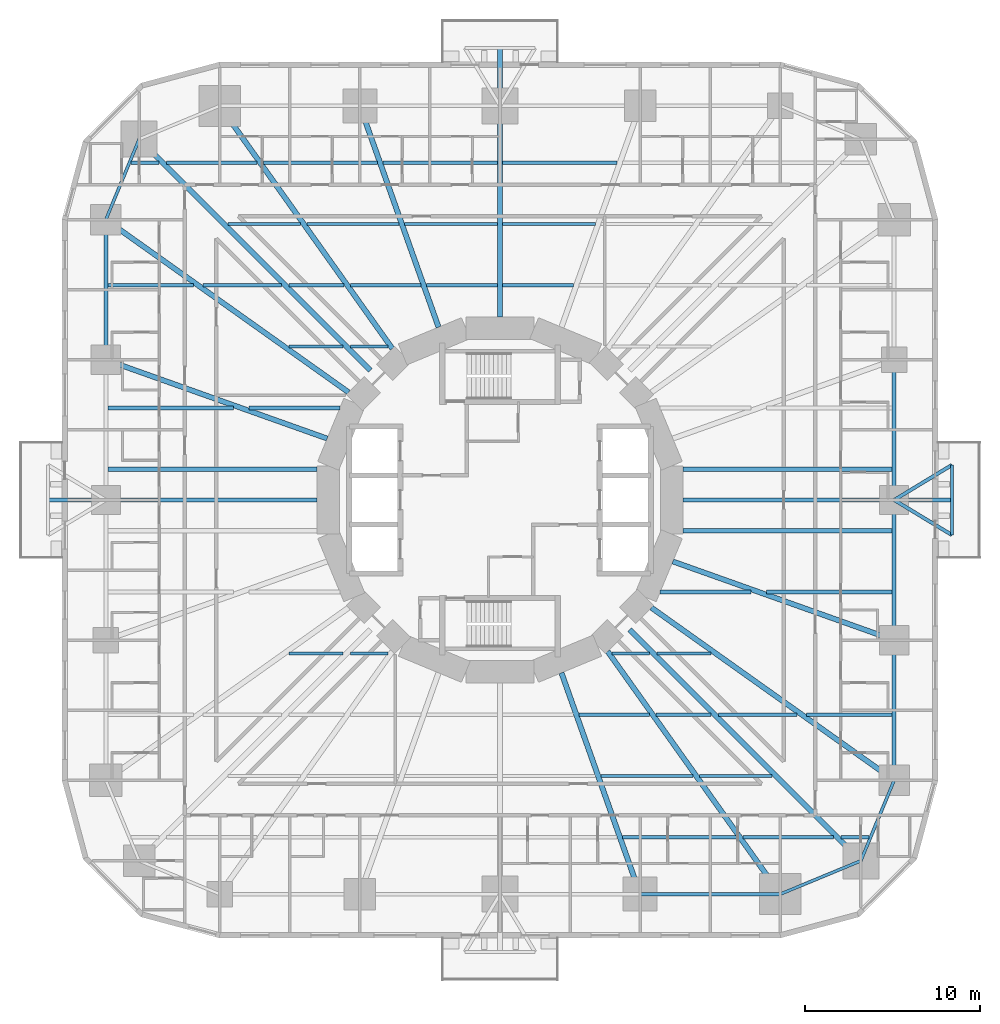
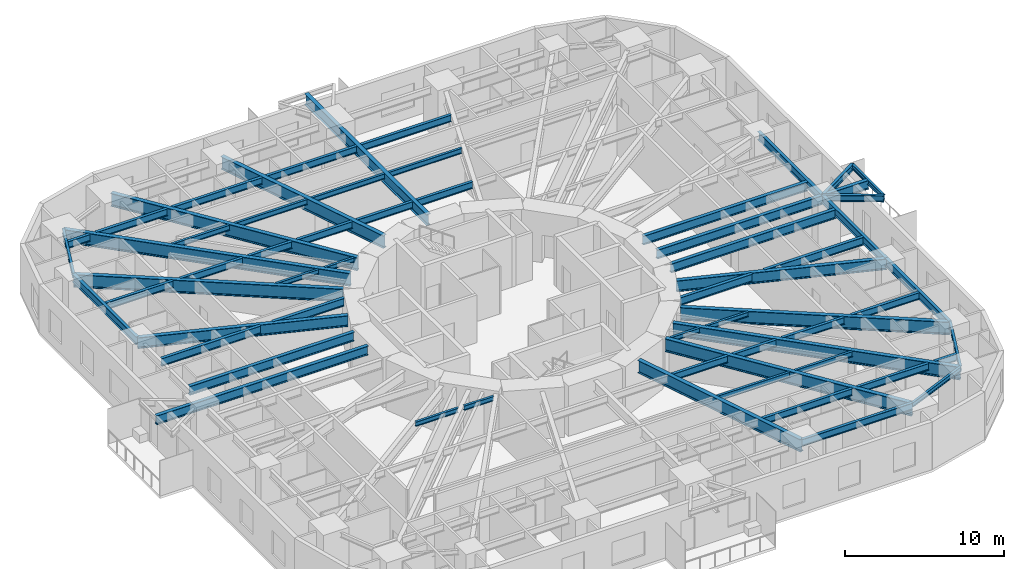
# One storey, part 2 of 14: 61 beams.
"""IFC4 building model written with IfcOpenShell, lengths in metres."""

from ifc_helpers import new_model, si_unit, direction, frame, origin, origin_2d, place, context, subcontext, project, spatial, i_section, extrude, material, material_profile, profile_set, type_object, element, save


model = new_model("IFC4")

# Units and contexts
model_context = context("Model", 3, precision=1e-05, world=origin(), true_north=direction((0.0, 1.0)))
body_context = subcontext(model_context, "Body", "Model", "MODEL_VIEW")
ifc_project = project(units=[si_unit("LENGTHUNIT", "METRE"), si_unit("AREAUNIT", "SQUARE_METRE"), si_unit("VOLUMEUNIT", "CUBIC_METRE"), si_unit("PLANEANGLEUNIT", "RADIAN"), si_unit("MASSUNIT", "GRAM", prefix="KILO")], contexts=[model_context])

# Site, building, storey
site_placement = place(None, origin())
site = spatial("IfcSite", under=ifc_project, at=site_placement, CompositionType="ELEMENT")
building_placement = place(site_placement, origin())
building = spatial("IfcBuilding", under=site, at=building_placement, Name="Nakasero Lantern House", CompositionType="ELEMENT")
storey_placement = place(building_placement, frame((0.0, 0.0, 27.550048828125)))
storey = spatial("IfcBuildingStorey", under=building, at=storey_placement, Name="L06", CompositionType="ELEMENT", Elevation=27.550048828125)

# Beams
ifc_material_1 = material(Name="Steel S355", Category="steel")
ifc_material_profile_1 = material_profile(ifc_material_1, i_section(OverallWidth=0.199462890625, OverallDepth=0.491943359375, WebThickness=0.01806640625, FlangeThickness=0.031982421875, FilletRadius=0.01025390625, at=origin_2d()), Name="UB 457x191x161")
ifc_profile_set_1 = profile_set([ifc_material_profile_1], Name="Steel S355")
beam_type_1 = type_object("IfcBeamType", Name="Balcony splay beam UB 457x191x161", PredefinedType="BEAM", material=ifc_profile_set_1)
for number, where, z_axis, x_axis, name in (
    (1, (22.5, 0.0, 3.404052734375), (0.855201230787, 0.518296107317, 0.0), (-0.518296107317, 0.855201230787, 0.0), "Balcony splay beam L07 B1-C03A"),
    (2, (22.5, 0.0, 3.404052734375), (0.855201230787, -0.518296107317, 0.0), (0.518296107317, 0.855201230787, 0.0), "Balcony splay beam L07 B1-C03B"),
):
    element("IfcBeam", number, at=place(storey_placement, frame(where, z_axis=z_axis, x_axis=x_axis)), inside=storey, type_object=beam_type_1, Name=name, PredefinedType="BEAM", context=body_context, shape_type="SweptSolid", body=[
        extrude(i_section(OverallWidth=0.199462890625, OverallDepth=0.491943359375, WebThickness=0.01806640625, FlangeThickness=0.031982421875, FilletRadius=0.01025390625, at=origin_2d()), origin(), (0.0, 0.0, 1.0), 3.85888671875),
    ])
ifc_material_2 = material(Name="Steel S355", Category="steel")
ifc_material_profile_2 = material_profile(ifc_material_2, i_section(OverallWidth=0.17138671875, OverallDepth=0.35498046875, WebThickness=0.00732421875, FlangeThickness=0.011474609375, FilletRadius=0.01025390625, at=origin_2d()), Name="UB 356x171x51")
ifc_profile_set_2 = profile_set([ifc_material_profile_2], Name="Steel S355")
beam_type_2 = type_object("IfcBeamType", Name="Balcony tie beam UB 356x171x51", PredefinedType="BEAM", material=ifc_profile_set_2)
beam_1_placement = place(storey_placement, frame((25.800048828125, 2.0, 3.472412109375), z_axis=(0.0, -1.0, 0.0), x_axis=(1.0, 0.0, 0.0)))
element("IfcBeam", 3, at=beam_1_placement, inside=storey, type_object=beam_type_2, Name="Balcony tie beam L07 B1-C03", PredefinedType="BEAM", context=body_context, shape_type="SweptSolid", body=[
    extrude(i_section(OverallWidth=0.17138671875, OverallDepth=0.35498046875, WebThickness=0.00732421875, FlangeThickness=0.011474609375, FilletRadius=0.01025390625, at=origin_2d()), origin(), (0.0, 0.0, 1.0), 4.0),
])
ifc_material_3 = material(Name="Steel S355", Category="steel")
ifc_material_profile_3 = material_profile(ifc_material_3, i_section(OverallWidth=0.17138671875, OverallDepth=0.35498046875, WebThickness=0.00732421875, FlangeThickness=0.011474609375, FilletRadius=0.01025390625, at=origin_2d()), Name="UB 356x171x51")
ifc_profile_set_3 = profile_set([ifc_material_profile_3], Name="Steel S355")
beam_type_3 = type_object("IfcBeamType", Name="Infill beam UB 356x171x51", PredefinedType="JOIST", material=ifc_profile_set_3)
beam_2_placement = place(storey_placement, frame((-12.0458984375, -8.75, 3.472412109375), z_axis=(1.0, 0.0, 0.0), x_axis=(0.0, 1.0, 0.0)))
element("IfcBeam", 4, at=beam_2_placement, inside=storey, type_object=beam_type_3, Name="Infill beam L07 05.1", PredefinedType="JOIST", context=body_context, shape_type="SweptSolid", body=[
    extrude(i_section(OverallWidth=0.17138671875, OverallDepth=0.35498046875, WebThickness=0.00732421875, FlangeThickness=0.011474609375, FilletRadius=0.01025390625, at=origin_2d()), origin(), (0.0, 0.0, 1.0), 3.083740234375),
])
for number, where, z_axis, x_axis, name in (
    (5, (-8.537841796875, -8.75, 3.472412109375), (1.0, 0.0, 0.0), (0.0, 1.0, 0.0), "Infill beam L07 05.2"),
    (6, (6.40625, -8.75, 3.472412109375), (1.0, 0.0, 0.0), (0.0, 1.0, 0.0), "Infill beam L07 05.3"),
):
    element("IfcBeam", number, at=place(storey_placement, frame(where, z_axis=z_axis, x_axis=x_axis)), inside=storey, type_object=beam_type_3, Name=name, PredefinedType="JOIST", context=body_context, shape_type="SweptSolid", body=[
        extrude(i_section(OverallWidth=0.17138671875, OverallDepth=0.35498046875, WebThickness=0.00732421875, FlangeThickness=0.011474609375, FilletRadius=0.01025390625, at=origin_2d()), origin(), (0.0, 0.0, 1.0), 2.131591796875),
    ])
for number, where, z_axis, x_axis, name in (
    (7, (8.962158203125, -8.75, 3.472412109375), (1.0, 0.0, 0.0), (0.0, 1.0, 0.0), "Infill beam L07 05.4"),
    (8, (-12.0458984375, 8.75, 3.472412109375), (1.0, 0.0, 0.0), (0.0, 1.0, 0.0), "Infill beam L07 10.1"),
):
    element("IfcBeam", number, at=place(storey_placement, frame(where, z_axis=z_axis, x_axis=x_axis)), inside=storey, type_object=beam_type_3, Name=name, PredefinedType="JOIST", context=body_context, shape_type="SweptSolid", body=[
        extrude(i_section(OverallWidth=0.17138671875, OverallDepth=0.35498046875, WebThickness=0.00732421875, FlangeThickness=0.011474609375, FilletRadius=0.01025390625, at=origin_2d()), origin(), (0.0, 0.0, 1.0), 3.083740234375),
    ])
beam_3_placement = place(storey_placement, frame((-8.537841796875, 8.75, 3.472412109375), z_axis=(1.0, 0.0, 0.0), x_axis=(0.0, 1.0, 0.0)))
element("IfcBeam", 9, at=beam_3_placement, inside=storey, type_object=beam_type_3, Name="Infill beam L07 10.2", PredefinedType="JOIST", context=body_context, shape_type="SweptSolid", body=[
    extrude(i_section(OverallWidth=0.17138671875, OverallDepth=0.35498046875, WebThickness=0.00732421875, FlangeThickness=0.011474609375, FilletRadius=0.01025390625, at=origin_2d()), origin(), (0.0, 0.0, 1.0), 2.131591796875),
])
ifc_material_4 = material(Name="Steel S355", Category="steel")
ifc_material_profile_4 = material_profile(ifc_material_4, i_section(OverallWidth=0.177978515625, OverallDepth=0.406494140625, WebThickness=0.0078125, FlangeThickness=0.0126953125, FilletRadius=0.01025390625, at=origin_2d()), Name="UB 406x178x60")
ifc_profile_set_4 = profile_set([ifc_material_profile_4], Name="Steel S355")
beam_type_4 = type_object("IfcBeamType", Name="Infill beam UB 406x178x60", PredefinedType="JOIST", material=ifc_profile_set_4)
beam_4_placement = place(storey_placement, frame((5.75927734375, -15.75, 3.44677734375), z_axis=(1.0, 0.0, 0.0), x_axis=(0.0, 1.0, 0.0)))
element("IfcBeam", 10, at=beam_4_placement, inside=storey, type_object=beam_type_4, Name="Infill beam L07 03.5", PredefinedType="JOIST", context=body_context, shape_type="SweptSolid", body=[
    extrude(i_section(OverallWidth=0.177978515625, OverallDepth=0.406494140625, WebThickness=0.0078125, FlangeThickness=0.0126953125, FilletRadius=0.01025390625, at=origin_2d()), origin(), (0.0, 0.0, 1.0), 5.256591796875),
])
for number, where, z_axis, x_axis, name in (
    (11, (11.384033203125, -15.75, 3.44677734375), (1.0, 0.0, 0.0), (0.0, 1.0, 0.0), "Infill beam L07 03.6"),
    (12, (-15.537841796875, 15.75, 3.44677734375), (1.0, 0.0, 0.0), (0.0, 1.0, 0.0), "Infill beam L07 12.1"),
):
    element("IfcBeam", number, at=place(storey_placement, frame(where, z_axis=z_axis, x_axis=x_axis)), inside=storey, type_object=beam_type_4, Name=name, PredefinedType="JOIST", context=body_context, shape_type="SweptSolid", body=[
        extrude(i_section(OverallWidth=0.177978515625, OverallDepth=0.406494140625, WebThickness=0.0078125, FlangeThickness=0.0126953125, FilletRadius=0.01025390625, at=origin_2d()), origin(), (0.0, 0.0, 1.0), 4.15380859375),
    ])
beam_5_placement = place(storey_placement, frame((-11.015869140625, 15.75, 3.44677734375), z_axis=(1.0, 0.0, 0.0), x_axis=(0.0, 1.0, 0.0)))
element("IfcBeam", 13, at=beam_5_placement, inside=storey, type_object=beam_type_4, Name="Infill beam L07 12.2", PredefinedType="JOIST", context=body_context, shape_type="SweptSolid", body=[
    extrude(i_section(OverallWidth=0.177978515625, OverallDepth=0.406494140625, WebThickness=0.0078125, FlangeThickness=0.0126953125, FilletRadius=0.01025390625, at=origin_2d()), origin(), (0.0, 0.0, 1.0), 5.256591796875),
])
for number, where, z_axis, x_axis, name in (
    (14, (-5.44091796875, 15.75, 3.44677734375), (1.0, 0.0, 0.0), (0.0, 1.0, 0.0), "Infill beam L07 12.3"),
    (15, (0.146240234375, 15.75, 3.44677734375), (1.0, 0.0, 0.0), (0.0, 1.0, 0.0), "Infill beam L07 12.4"),
):
    element("IfcBeam", number, at=place(storey_placement, frame(where, z_axis=z_axis, x_axis=x_axis)), inside=storey, type_object=beam_type_4, Name=name, PredefinedType="JOIST", context=body_context, shape_type="SweptSolid", body=[
        extrude(i_section(OverallWidth=0.177978515625, OverallDepth=0.406494140625, WebThickness=0.0078125, FlangeThickness=0.0126953125, FilletRadius=0.01025390625, at=origin_2d()), origin(), (0.0, 0.0, 1.0), 5.294677734375),
    ])
ifc_material_5 = material(Name="Steel S355", Category="steel")
ifc_material_profile_5 = material_profile(ifc_material_5, i_section(OverallWidth=0.208740234375, OverallDepth=0.5283203125, WebThickness=0.009521484375, FlangeThickness=0.01318359375, FilletRadius=0.0126953125, at=origin_2d()), Name="UB 533x210x82")
ifc_profile_set_5 = profile_set([ifc_material_profile_5], Name="Steel S355")
beam_type_5 = type_object("IfcBeamType", Name="Infill beam UB 533x210x82", PredefinedType="JOIST", material=ifc_profile_set_5)
beam_6_placement = place(storey_placement, frame((7.003662109375, -19.25, 3.3857421875), z_axis=(1.0, 0.0, 0.0), x_axis=(0.0, 1.0, 0.0)))
element("IfcBeam", 16, at=beam_6_placement, inside=storey, type_object=beam_type_5, Name="Infill beam L07 02.6", PredefinedType="JOIST", context=body_context, shape_type="SweptSolid", body=[
    extrude(i_section(OverallWidth=0.208740234375, OverallDepth=0.5283203125, WebThickness=0.009521484375, FlangeThickness=0.01318359375, FilletRadius=0.0126953125, at=origin_2d()), origin(), (0.0, 0.0, 1.0), 6.501220703125),
])
beam_7_placement = place(storey_placement, frame((13.873046875, -19.25, 3.3857421875), z_axis=(1.0, 0.0, 0.0), x_axis=(0.0, 1.0, 0.0)))
element("IfcBeam", 17, at=beam_7_placement, inside=storey, type_object=beam_type_5, Name="Infill beam L07 02.7", PredefinedType="JOIST", context=body_context, shape_type="SweptSolid", body=[
    extrude(i_section(OverallWidth=0.208740234375, OverallDepth=0.5283203125, WebThickness=0.009521484375, FlangeThickness=0.01318359375, FilletRadius=0.0126953125, at=origin_2d()), origin(), (0.0, 0.0, 1.0), 5.164794921875),
])
beam_8_placement = place(storey_placement, frame((19.462158203125, -19.25, 3.3857421875), z_axis=(1.0, 0.0, 0.0), x_axis=(0.0, 1.0, 0.0)))
element("IfcBeam", 18, at=beam_8_placement, inside=storey, type_object=beam_type_5, Name="Infill beam L07 02.8", PredefinedType="JOIST", context=body_context, shape_type="SweptSolid", body=[
    extrude(i_section(OverallWidth=0.208740234375, OverallDepth=0.5283203125, WebThickness=0.009521484375, FlangeThickness=0.01318359375, FilletRadius=0.0126953125, at=origin_2d()), origin(), (0.0, 0.0, 1.0), 1.598876953125),
])
beam_9_placement = place(storey_placement, frame((4.5146484375, -12.25, 3.3857421875), z_axis=(1.0, 0.0, 0.0), x_axis=(0.0, 1.0, 0.0)))
element("IfcBeam", 19, at=beam_9_placement, inside=storey, type_object=beam_type_5, Name="Infill beam L07 04.7", PredefinedType="JOIST", context=body_context, shape_type="SweptSolid", body=[
    extrude(i_section(OverallWidth=0.208740234375, OverallDepth=0.5283203125, WebThickness=0.009521484375, FlangeThickness=0.01318359375, FilletRadius=0.0126953125, at=origin_2d()), origin(), (0.0, 0.0, 1.0), 4.012451171875),
])
beam_10_placement = place(storey_placement, frame((8.895263671875, -12.25, 3.3857421875), z_axis=(1.0, 0.0, 0.0), x_axis=(0.0, 1.0, 0.0)))
element("IfcBeam", 20, at=beam_10_placement, inside=storey, type_object=beam_type_5, Name="Infill beam L07 04.8", PredefinedType="JOIST", context=body_context, shape_type="SweptSolid", body=[
    extrude(i_section(OverallWidth=0.208740234375, OverallDepth=0.5283203125, WebThickness=0.009521484375, FlangeThickness=0.01318359375, FilletRadius=0.0126953125, at=origin_2d()), origin(), (0.0, 0.0, 1.0), 3.142578125),
])
beam_11_placement = place(storey_placement, frame((12.462158203125, -12.25, 3.3857421875), z_axis=(1.0, 0.0, 0.0), x_axis=(0.0, 1.0, 0.0)))
element("IfcBeam", 21, at=beam_11_placement, inside=storey, type_object=beam_type_5, Name="Infill beam L07 04.9", PredefinedType="JOIST", context=body_context, shape_type="SweptSolid", body=[
    extrude(i_section(OverallWidth=0.208740234375, OverallDepth=0.5283203125, WebThickness=0.009521484375, FlangeThickness=0.01318359375, FilletRadius=0.0126953125, at=origin_2d()), origin(), (0.0, 0.0, 1.0), 4.505615234375),
])
for number, where, z_axis, x_axis, name in (
    (22, (17.4853515625, -12.25, 3.3857421875), (1.0, 0.0, 0.0), (0.0, 1.0, 0.0), "Infill beam L07 04.10"),
    (23, (-22.385498046875, 12.25, 3.3857421875), (1.0, 0.0, 0.0), (0.0, 1.0, 0.0), "Infill beam L07 11.1"),
):
    element("IfcBeam", number, at=place(storey_placement, frame(where, z_axis=z_axis, x_axis=x_axis)), inside=storey, type_object=beam_type_5, Name=name, PredefinedType="JOIST", context=body_context, shape_type="SweptSolid", body=[
        extrude(i_section(OverallWidth=0.208740234375, OverallDepth=0.5283203125, WebThickness=0.009521484375, FlangeThickness=0.01318359375, FilletRadius=0.0126953125, at=origin_2d()), origin(), (0.0, 0.0, 1.0), 4.900146484375),
    ])
beam_12_placement = place(storey_placement, frame((-16.9677734375, 12.25, 3.3857421875), z_axis=(1.0, 0.0, 0.0), x_axis=(0.0, 1.0, 0.0)))
element("IfcBeam", 24, at=beam_12_placement, inside=storey, type_object=beam_type_5, Name="Infill beam L07 11.2", PredefinedType="JOIST", context=body_context, shape_type="SweptSolid", body=[
    extrude(i_section(OverallWidth=0.208740234375, OverallDepth=0.5283203125, WebThickness=0.009521484375, FlangeThickness=0.01318359375, FilletRadius=0.0126953125, at=origin_2d()), origin(), (0.0, 0.0, 1.0), 4.505615234375),
])
beam_13_placement = place(storey_placement, frame((-12.037841796875, 12.25, 3.3857421875), z_axis=(1.0, 0.0, 0.0), x_axis=(0.0, 1.0, 0.0)))
element("IfcBeam", 25, at=beam_13_placement, inside=storey, type_object=beam_type_5, Name="Infill beam L07 11.3", PredefinedType="JOIST", context=body_context, shape_type="SweptSolid", body=[
    extrude(i_section(OverallWidth=0.208740234375, OverallDepth=0.5283203125, WebThickness=0.009521484375, FlangeThickness=0.01318359375, FilletRadius=0.0126953125, at=origin_2d()), origin(), (0.0, 0.0, 1.0), 3.142578125),
])
beam_14_placement = place(storey_placement, frame((-8.527099609375, 12.25, 3.3857421875), z_axis=(1.0, 0.0, 0.0), x_axis=(0.0, 1.0, 0.0)))
element("IfcBeam", 26, at=beam_14_placement, inside=storey, type_object=beam_type_5, Name="Infill beam L07 11.4", PredefinedType="JOIST", context=body_context, shape_type="SweptSolid", body=[
    extrude(i_section(OverallWidth=0.208740234375, OverallDepth=0.5283203125, WebThickness=0.009521484375, FlangeThickness=0.01318359375, FilletRadius=0.0126953125, at=origin_2d()), origin(), (0.0, 0.0, 1.0), 4.012451171875),
])
for number, where, z_axis, x_axis, name in (
    (27, (-4.1962890625, 12.25, 3.3857421875), (1.0, 0.0, 0.0), (0.0, 1.0, 0.0), "Infill beam L07 11.5"),
    (28, (0.146240234375, 12.25, 3.3857421875), (1.0, 0.0, 0.0), (0.0, 1.0, 0.0), "Infill beam L07 11.6"),
):
    element("IfcBeam", number, at=place(storey_placement, frame(where, z_axis=z_axis, x_axis=x_axis)), inside=storey, type_object=beam_type_5, Name=name, PredefinedType="JOIST", context=body_context, shape_type="SweptSolid", body=[
        extrude(i_section(OverallWidth=0.208740234375, OverallDepth=0.5283203125, WebThickness=0.009521484375, FlangeThickness=0.01318359375, FilletRadius=0.0126953125, at=origin_2d()), origin(), (0.0, 0.0, 1.0), 4.050048828125),
    ])
beam_15_placement = place(storey_placement, frame((-21.06103515625, 19.25, 3.3857421875), z_axis=(1.0, 0.0, 0.0), x_axis=(0.0, 1.0, 0.0)))
element("IfcBeam", 29, at=beam_15_placement, inside=storey, type_object=beam_type_5, Name="Infill beam L07 13.1", PredefinedType="JOIST", context=body_context, shape_type="SweptSolid", body=[
    extrude(i_section(OverallWidth=0.208740234375, OverallDepth=0.5283203125, WebThickness=0.009521484375, FlangeThickness=0.01318359375, FilletRadius=0.0126953125, at=origin_2d()), origin(), (0.0, 0.0, 1.0), 1.598876953125),
])
beam_16_placement = place(storey_placement, frame((-19.037841796875, 19.25, 3.3857421875), z_axis=(1.0, 0.0, 0.0), x_axis=(0.0, 1.0, 0.0)))
element("IfcBeam", 30, at=beam_16_placement, inside=storey, type_object=beam_type_5, Name="Infill beam L07 13.2", PredefinedType="JOIST", context=body_context, shape_type="SweptSolid", body=[
    extrude(i_section(OverallWidth=0.208740234375, OverallDepth=0.5283203125, WebThickness=0.009521484375, FlangeThickness=0.01318359375, FilletRadius=0.0126953125, at=origin_2d()), origin(), (0.0, 0.0, 1.0), 5.164794921875),
])
beam_17_placement = place(storey_placement, frame((-13.5048828125, 19.25, 3.3857421875), z_axis=(1.0, 0.0, 0.0), x_axis=(0.0, 1.0, 0.0)))
element("IfcBeam", 31, at=beam_17_placement, inside=storey, type_object=beam_type_5, Name="Infill beam L07 13.3", PredefinedType="JOIST", context=body_context, shape_type="SweptSolid", body=[
    extrude(i_section(OverallWidth=0.208740234375, OverallDepth=0.5283203125, WebThickness=0.009521484375, FlangeThickness=0.01318359375, FilletRadius=0.0126953125, at=origin_2d()), origin(), (0.0, 0.0, 1.0), 6.501220703125),
])
for number, where, z_axis, x_axis, name in (
    (32, (-6.685302734375, 19.25, 3.3857421875), (1.0, 0.0, 0.0), (0.0, 1.0, 0.0), "Infill beam L07 13.4"),
    (33, (0.146240234375, 19.25, 3.3857421875), (1.0, 0.0, 0.0), (0.0, 1.0, 0.0), "Infill beam L07 13.5"),
):
    element("IfcBeam", number, at=place(storey_placement, frame(where, z_axis=z_axis, x_axis=x_axis)), inside=storey, type_object=beam_type_5, Name=name, PredefinedType="JOIST", context=body_context, shape_type="SweptSolid", body=[
        extrude(i_section(OverallWidth=0.208740234375, OverallDepth=0.5283203125, WebThickness=0.009521484375, FlangeThickness=0.01318359375, FilletRadius=0.0126953125, at=origin_2d()), origin(), (0.0, 0.0, 1.0), 6.5390625),
    ])
ifc_material_6 = material(Name="Steel S355", Category="steel")
ifc_material_profile_6 = material_profile(ifc_material_6, i_section(OverallWidth=0.2275390625, OverallDepth=0.6025390625, WebThickness=0.010498046875, FlangeThickness=0.014892578125, FilletRadius=0.0126953125, at=origin_2d()), Name="UB 610x229x101")
ifc_profile_set_6 = profile_set([ifc_material_profile_6], Name="Steel S355")
beam_type_6 = type_object("IfcBeamType", Name="Infill beam UB 610x229x101", PredefinedType="JOIST", material=ifc_profile_set_6)
beam_18_placement = place(storey_placement, frame((9.144775390625, -5.25, 3.3486328125), z_axis=(1.0, 0.0, 0.0), x_axis=(0.0, 1.0, 0.0)))
element("IfcBeam", 34, at=beam_18_placement, inside=storey, type_object=beam_type_6, Name="Infill beam L07 06.3", PredefinedType="JOIST", context=body_context, shape_type="SweptSolid", body=[
    extrude(i_section(OverallWidth=0.2275390625, OverallDepth=0.6025390625, WebThickness=0.010498046875, FlangeThickness=0.014892578125, FilletRadius=0.0126953125, at=origin_2d()), origin(), (0.0, 0.0, 1.0), 5.184326171875),
])
for number, where, z_axis, x_axis, name in (
    (35, (15.2021484375, -5.25, 3.3486328125), (1.0, 0.0, 0.0), (0.0, 1.0, 0.0), "Infill beam L07 06.4"),
    (36, (-22.385498046875, 5.25, 3.3486328125), (1.0, 0.0, 0.0), (0.0, 1.0, 0.0), "Infill beam L07 09.1"),
):
    element("IfcBeam", number, at=place(storey_placement, frame(where, z_axis=z_axis, x_axis=x_axis)), inside=storey, type_object=beam_type_6, Name=name, PredefinedType="JOIST", context=body_context, shape_type="SweptSolid", body=[
        extrude(i_section(OverallWidth=0.2275390625, OverallDepth=0.6025390625, WebThickness=0.010498046875, FlangeThickness=0.014892578125, FilletRadius=0.0126953125, at=origin_2d()), origin(), (0.0, 0.0, 1.0), 7.183349609375),
    ])
beam_19_placement = place(storey_placement, frame((-14.3291015625, 5.25, 3.3486328125), z_axis=(1.0, 0.0, 0.0), x_axis=(0.0, 1.0, 0.0)))
element("IfcBeam", 37, at=beam_19_placement, inside=storey, type_object=beam_type_6, Name="Infill beam L07 09.2", PredefinedType="JOIST", context=body_context, shape_type="SweptSolid", body=[
    extrude(i_section(OverallWidth=0.2275390625, OverallDepth=0.6025390625, WebThickness=0.010498046875, FlangeThickness=0.014892578125, FilletRadius=0.0126953125, at=origin_2d()), origin(), (0.0, 0.0, 1.0), 5.184326171875),
])
ifc_material_7 = material(Name="Steel S355", Category="steel")
ifc_material_profile_7 = material_profile(ifc_material_7, i_section(OverallWidth=0.253662109375, OverallDepth=0.68359375, WebThickness=0.012451171875, FlangeThickness=0.01904296875, FilletRadius=0.01513671875, at=origin_2d()), Name="UB 686x254x140")
ifc_profile_set_7 = profile_set([ifc_material_profile_7], Name="Steel S355")
beam_type_7 = type_object("IfcBeamType", Name="Infill beam UB 686x254x140", PredefinedType="JOIST", material=ifc_profile_set_7)
for number, where, z_axis, x_axis, name in (
    (38, (10.457763671875, -1.75, 3.30810546875), (1.0, 0.0, 0.0), (0.0, 1.0, 0.0), "Infill beam L07 07.2"),
    (39, (-22.385498046875, 1.75, 3.30810546875), (1.0, 0.0, 0.0), (0.0, 1.0, 0.0), "Infill beam L07 08.1"),
    (40, (10.457763671875, 1.75, 3.30810546875), (1.0, 0.0, 0.0), (0.0, 1.0, 0.0), "Infill beam L07 08.2"),
):
    element("IfcBeam", number, at=place(storey_placement, frame(where, z_axis=z_axis, x_axis=x_axis)), inside=storey, type_object=beam_type_7, Name=name, PredefinedType="JOIST", context=body_context, shape_type="SweptSolid", body=[
        extrude(i_section(OverallWidth=0.253662109375, OverallDepth=0.68359375, WebThickness=0.012451171875, FlangeThickness=0.01904296875, FilletRadius=0.01513671875, at=origin_2d()), origin(), (0.0, 0.0, 1.0), 11.927734375),
    ])
ifc_material_8 = material(Name="Steel S355", Category="steel")
ifc_material_profile_8 = material_profile(ifc_material_8, i_section(OverallWidth=0.300048828125, OverallDepth=0.97021484375, WebThickness=0.01611328125, FlangeThickness=0.02099609375, FilletRadius=0.030029296875, at=origin_2d()), Name="UB 1016x305x222")
ifc_profile_set_8 = profile_set([ifc_material_profile_8], Name="Steel S355")
beam_type_8 = type_object("IfcBeamType", Name="Primary beam UB 1016x305x222, span 12 to 15 m", PredefinedType="BEAM", material=ifc_profile_set_8)
for number, where, z_axis, x_axis, name in (
    (41, (-8.0, 22.5, 3.164794921875), (0.335010745293, -0.942214307118, 0.0), (0.942214307118, 0.335010745293, 0.0), "Primary beam L07 B1-C10"),
    (42, (8.0, -22.5, 3.164794921875), (-0.335010745293, 0.942214307118, 0.0), (-0.942214307118, -0.335010745293, 0.0), "Primary beam L07 B1-C22"),
):
    element("IfcBeam", number, at=place(storey_placement, frame(where, z_axis=z_axis, x_axis=x_axis)), inside=storey, type_object=beam_type_8, Name=name, PredefinedType="BEAM", context=body_context, shape_type="SweptSolid", body=[
        extrude(i_section(OverallWidth=0.300048828125, OverallDepth=0.97021484375, WebThickness=0.01611328125, FlangeThickness=0.02099609375, FilletRadius=0.030029296875, at=origin_2d()), origin(), (0.0, 0.0, 1.0), 13.408447265625),
    ])
ifc_material_9 = material(Name="Steel S355", Category="steel")
ifc_material_profile_9 = material_profile(ifc_material_9, i_section(OverallWidth=0.300048828125, OverallDepth=0.989990234375, WebThickness=0.0166015625, FlangeThickness=0.031005859375, FilletRadius=0.030029296875, at=origin_2d()), Name="UB 1016x305x272")
ifc_profile_set_9 = profile_set([ifc_material_profile_9], Name="Steel S355")
beam_type_9 = type_object("IfcBeamType", Name="Primary beam UB 1016x305x272, span over 15 m", PredefinedType="BEAM", material=ifc_profile_set_9)
beam_20_placement = place(storey_placement, frame((22.5, -16.0, 3.15478515625), z_axis=(-0.814952159915, 0.579528236629, 0.0), x_axis=(-0.579528236629, -0.814952159915, 0.0)))
element("IfcBeam", 43, at=beam_20_placement, inside=storey, type_object=beam_type_9, Name="Primary beam L07 B1-C01", PredefinedType="BEAM", context=body_context, shape_type="SweptSolid", body=[
    extrude(i_section(OverallWidth=0.300048828125, OverallDepth=0.989990234375, WebThickness=0.0166015625, FlangeThickness=0.031005859375, FilletRadius=0.030029296875, at=origin_2d()), origin(), (0.0, 0.0, 1.0), 17.003173828125),
])
beam_21_placement = place(storey_placement, frame((-20.59619140625, 20.59619140625, 3.15478515625), z_axis=(0.707106781187, -0.707106781187, 0.0), x_axis=(0.707106781187, 0.707106781187, 0.0)))
element("IfcBeam", 44, at=beam_21_placement, inside=storey, type_object=beam_type_9, Name="Primary beam L07 B1-C12", PredefinedType="BEAM", context=body_context, shape_type="SweptSolid", body=[
    extrude(i_section(OverallWidth=0.300048828125, OverallDepth=0.989990234375, WebThickness=0.0166015625, FlangeThickness=0.031005859375, FilletRadius=0.030029296875, at=origin_2d()), origin(), (0.0, 0.0, 1.0), 18.669677734375),
])
beam_22_placement = place(storey_placement, frame((-22.5, 16.0, 3.15478515625), z_axis=(0.814952159915, -0.579528236629, 0.0), x_axis=(0.579528236629, 0.814952159915, 0.0)))
element("IfcBeam", 45, at=beam_22_placement, inside=storey, type_object=beam_type_9, Name="Primary beam L07 B1-C13", PredefinedType="BEAM", context=body_context, shape_type="SweptSolid", body=[
    extrude(i_section(OverallWidth=0.300048828125, OverallDepth=0.989990234375, WebThickness=0.0166015625, FlangeThickness=0.031005859375, FilletRadius=0.030029296875, at=origin_2d()), origin(), (0.0, 0.0, 1.0), 17.003173828125),
])
beam_23_placement = place(storey_placement, frame((20.59619140625, -20.59619140625, 3.15478515625), z_axis=(-0.707106781187, 0.707106781187, 0.0), x_axis=(-0.707106781187, -0.707106781187, 0.0)))
element("IfcBeam", 46, at=beam_23_placement, inside=storey, type_object=beam_type_9, Name="Primary beam L07 B1-C24", PredefinedType="BEAM", context=body_context, shape_type="SweptSolid", body=[
    extrude(i_section(OverallWidth=0.300048828125, OverallDepth=0.989990234375, WebThickness=0.0166015625, FlangeThickness=0.031005859375, FilletRadius=0.030029296875, at=origin_2d()), origin(), (0.0, 0.0, 1.0), 18.669677734375),
])
ifc_material_10 = material(Name="Steel S355", Category="steel")
ifc_material_profile_10 = material_profile(ifc_material_10, i_section(OverallWidth=0.300048828125, OverallDepth=1.0, WebThickness=0.01904296875, FlangeThickness=0.035888671875, FilletRadius=0.030029296875, at=origin_2d()), Name="UB 1016x305x314")
ifc_profile_set_10 = profile_set([ifc_material_profile_10], Name="Steel S355")
beam_type_10 = type_object("IfcBeamType", Name="Primary beam UB 1016x305x314, span over 15 m", PredefinedType="BEAM", material=ifc_profile_set_10)
for number, where, z_axis, x_axis, name in (
    (47, (-16.0, 22.5, 3.14990234375), (0.579528236629, -0.814952159915, 0.0), (0.814952159915, 0.579528236629, 0.0), "Primary beam L07 B1-C11"),
    (48, (16.0, -22.5, 3.14990234375), (-0.579528236629, 0.814952159915, 0.0), (-0.814952159915, -0.579528236629, 0.0), "Primary beam L07 B1-C23"),
):
    element("IfcBeam", number, at=place(storey_placement, frame(where, z_axis=z_axis, x_axis=x_axis)), inside=storey, type_object=beam_type_10, Name=name, PredefinedType="BEAM", context=body_context, shape_type="SweptSolid", body=[
        extrude(i_section(OverallWidth=0.300048828125, OverallDepth=1.0, WebThickness=0.01904296875, FlangeThickness=0.035888671875, FilletRadius=0.030029296875, at=origin_2d()), origin(), (0.0, 0.0, 1.0), 17.003173828125),
    ])
ifc_material_11 = material(Name="Steel S355", Category="steel")
ifc_material_profile_11 = material_profile(ifc_material_11, i_section(OverallWidth=0.255859375, OverallDepth=0.69287109375, WebThickness=0.014404296875, FlangeThickness=0.023681640625, FilletRadius=0.01513671875, at=origin_2d()), Name="UB 686x254x170")
ifc_profile_set_11 = profile_set([ifc_material_profile_11], Name="Steel S355")
beam_type_11 = type_object("IfcBeamType", Name="Primary beam UB 686x254x170, span 12 to 15 m", PredefinedType="BEAM", material=ifc_profile_set_11)
for number, where, z_axis, x_axis, name in (
    (49, (25.800048828125, 0.0, 3.303466796875), (-1.0, 0.0, 0.0), (0.0, -1.0, 0.0), "Primary beam L07 B1-C03"),
    (50, (-25.800048828125, 0.0, 3.303466796875), (1.0, 0.0, 0.0), (0.0, 1.0, 0.0), "Primary beam L07 B1-C15"),
):
    element("IfcBeam", number, at=place(storey_placement, frame(where, z_axis=z_axis, x_axis=x_axis)), inside=storey, type_object=beam_type_11, Name=name, PredefinedType="BEAM", context=body_context, shape_type="SweptSolid", body=[
        extrude(i_section(OverallWidth=0.255859375, OverallDepth=0.69287109375, WebThickness=0.014404296875, FlangeThickness=0.023681640625, FilletRadius=0.01513671875, at=origin_2d()), origin(), (0.0, 0.0, 1.0), 15.34228515625),
    ])
ifc_material_12 = material(Name="Steel S355", Category="steel")
ifc_material_profile_12 = material_profile(ifc_material_12, i_section(OverallWidth=0.29248046875, OverallDepth=0.8408203125, WebThickness=0.0146484375, FlangeThickness=0.02685546875, FilletRadius=0.017822265625, at=origin_2d()), Name="UB 838x292x194")
ifc_profile_set_12 = profile_set([ifc_material_profile_12], Name="Steel S355")
beam_type_12 = type_object("IfcBeamType", Name="Primary beam UB 838x292x194, span 12 to 15 m", PredefinedType="BEAM", material=ifc_profile_set_12)
beam_24_placement = place(storey_placement, frame((22.5, -8.0, 3.2294921875), z_axis=(-0.942214307118, 0.335010745293, 0.0), x_axis=(-0.335010745293, -0.942214307118, 0.0)))
element("IfcBeam", 51, at=beam_24_placement, inside=storey, type_object=beam_type_12, Name="Primary beam L07 B1-C02", PredefinedType="BEAM", context=body_context, shape_type="SweptSolid", body=[
    extrude(i_section(OverallWidth=0.29248046875, OverallDepth=0.8408203125, WebThickness=0.0146484375, FlangeThickness=0.02685546875, FilletRadius=0.017822265625, at=origin_2d()), origin(), (0.0, 0.0, 1.0), 13.408447265625),
])
beam_25_placement = place(storey_placement, frame((0.0, 25.800048828125, 3.2294921875), z_axis=(0.0, -1.0, 0.0), x_axis=(1.0, 0.0, 0.0)))
element("IfcBeam", 52, at=beam_25_placement, inside=storey, type_object=beam_type_12, Name="Primary beam L07 B1-C09", PredefinedType="BEAM", context=body_context, shape_type="SweptSolid", body=[
    extrude(i_section(OverallWidth=0.29248046875, OverallDepth=0.8408203125, WebThickness=0.0146484375, FlangeThickness=0.02685546875, FilletRadius=0.017822265625, at=origin_2d()), origin(), (0.0, 0.0, 1.0), 15.34228515625),
])
beam_26_placement = place(storey_placement, frame((-22.5, 8.0, 3.2294921875), z_axis=(0.942214307118, -0.335010745293, 0.0), x_axis=(0.335010745293, 0.942214307118, 0.0)))
element("IfcBeam", 53, at=beam_26_placement, inside=storey, type_object=beam_type_12, Name="Primary beam L07 B1-C14", PredefinedType="BEAM", context=body_context, shape_type="SweptSolid", body=[
    extrude(i_section(OverallWidth=0.29248046875, OverallDepth=0.8408203125, WebThickness=0.0146484375, FlangeThickness=0.02685546875, FilletRadius=0.017822265625, at=origin_2d()), origin(), (0.0, 0.0, 1.0), 13.408447265625),
])
ifc_material_13 = material(Name="Steel S355", Category="steel")
ifc_material_profile_13 = material_profile(ifc_material_13, i_section(OverallWidth=0.17138671875, OverallDepth=0.35498046875, WebThickness=0.00732421875, FlangeThickness=0.011474609375, FilletRadius=0.01025390625, at=origin_2d()), Name="UB 356x171x51")
ifc_profile_set_13 = profile_set([ifc_material_profile_13], Name="Steel S355")
beam_type_13 = type_object("IfcBeamType", Name="Ring beam UB 356x171x51", PredefinedType="BEAM", material=ifc_profile_set_13)
for number, where, z_axis, x_axis, name in (
    (54, (-20.59619140625, 20.59619140625, 3.472412109375), (-0.382684080569, -0.923879264016, 0.0), (0.923879264016, -0.382684080569, 0.0), "Ring beam L07 B1-C12"),
    (55, (16.0, -22.5, 3.472412109375), (0.923879264016, 0.382684080569, 0.0), (-0.382684080569, 0.923879264016, 0.0), "Ring beam L07 B1-C23"),
    (56, (20.59619140625, -20.59619140625, 3.472412109375), (0.382684080569, 0.923879264016, 0.0), (-0.923879264016, 0.382684080569, 0.0), "Ring beam L07 B1-C24"),
):
    element("IfcBeam", number, at=place(storey_placement, frame(where, z_axis=z_axis, x_axis=x_axis)), inside=storey, type_object=beam_type_13, Name=name, PredefinedType="BEAM", context=body_context, shape_type="SweptSolid", body=[
        extrude(i_section(OverallWidth=0.17138671875, OverallDepth=0.35498046875, WebThickness=0.00732421875, FlangeThickness=0.011474609375, FilletRadius=0.01025390625, at=origin_2d()), origin(), (0.0, 0.0, 1.0), 4.974853515625),
    ])
ifc_material_14 = material(Name="Steel S355", Category="steel")
ifc_material_profile_14 = material_profile(ifc_material_14, i_section(OverallWidth=0.2099609375, OverallDepth=0.53662109375, WebThickness=0.0107421875, FlangeThickness=0.017333984375, FilletRadius=0.0126953125, at=origin_2d()), Name="UB 533x210x101")
ifc_profile_set_14 = profile_set([ifc_material_profile_14], Name="Steel S355")
beam_type_14 = type_object("IfcBeamType", Name="Ring beam UB 533x210x101", PredefinedType="BEAM", material=ifc_profile_set_14)
beam_27_placement = place(storey_placement, frame((8.0, -22.5, 3.381591796875), z_axis=(1.0, 0.0, 0.0), x_axis=(0.0, 1.0, 0.0)))
element("IfcBeam", 57, at=beam_27_placement, inside=storey, type_object=beam_type_14, Name="Ring beam L07 B1-C22", PredefinedType="BEAM", context=body_context, shape_type="SweptSolid", body=[
    extrude(i_section(OverallWidth=0.2099609375, OverallDepth=0.53662109375, WebThickness=0.0107421875, FlangeThickness=0.017333984375, FilletRadius=0.0126953125, at=origin_2d()), origin(), (0.0, 0.0, 1.0), 8.0),
])
ifc_material_15 = material(Name="Steel S355", Category="steel")
ifc_material_profile_15 = material_profile(ifc_material_15, i_section(OverallWidth=0.22900390625, OverallDepth=0.6123046875, WebThickness=0.011962890625, FlangeThickness=0.01953125, FilletRadius=0.0126953125, at=origin_2d()), Name="UB 610x229x125")
ifc_profile_set_15 = profile_set([ifc_material_profile_15], Name="Steel S355")
beam_type_15 = type_object("IfcBeamType", Name="Ring beam UB 610x229x125", PredefinedType="BEAM", material=ifc_profile_set_15)
for number, where, z_axis, x_axis, name in (
    (58, (22.5, -16.0, 3.34375), (0.0, 1.0, 0.0), (-1.0, 0.0, 0.0), "Ring beam L07 B1-C01"),
    (59, (22.5, -8.0, 3.34375), (0.0, 1.0, 0.0), (-1.0, 0.0, 0.0), "Ring beam L07 B1-C02"),
    (60, (22.5, 0.0, 3.34375), (0.0, 1.0, 0.0), (-1.0, 0.0, 0.0), "Ring beam L07 B1-C03"),
    (61, (-22.5, 16.0, 3.34375), (0.0, -1.0, 0.0), (1.0, 0.0, 0.0), "Ring beam L07 B1-C13"),
):
    element("IfcBeam", number, at=place(storey_placement, frame(where, z_axis=z_axis, x_axis=x_axis)), inside=storey, type_object=beam_type_15, Name=name, PredefinedType="BEAM", context=body_context, shape_type="SweptSolid", body=[
        extrude(i_section(OverallWidth=0.22900390625, OverallDepth=0.6123046875, WebThickness=0.011962890625, FlangeThickness=0.01953125, FilletRadius=0.0126953125, at=origin_2d()), origin(), (0.0, 0.0, 1.0), 8.0),
    ])

save(model, "model.ifc")
